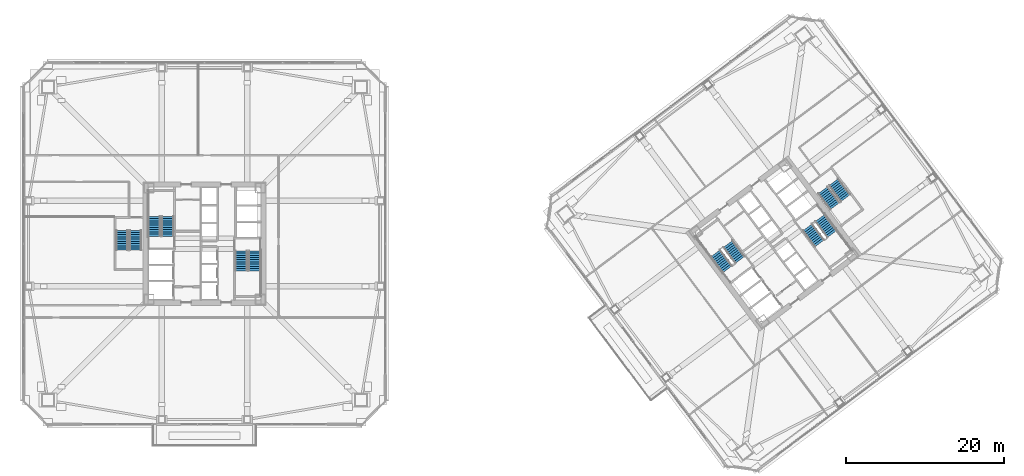
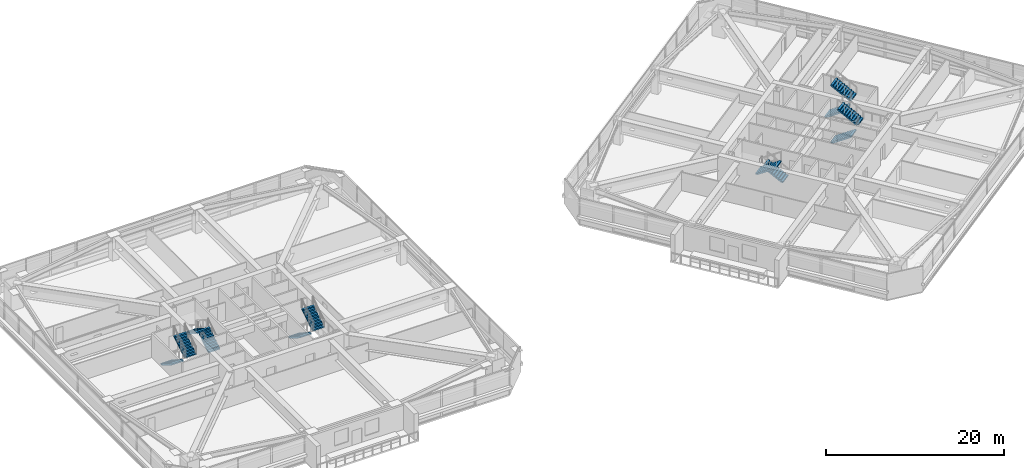
# One storey, part 42 of 48: 12 stair flights, 6 elements without a shape of their own.
"""IFC4 building model written with IfcOpenShell, lengths in metres."""

from ifc_helpers import new_model, si_unit, direction, frame, origin, place, context, subcontext, project, spatial, polyline, outline, extrude, material, type_object, element, aggregate, save


model = new_model("IFC4")

# Units and contexts
model_context = context("Model", 3, precision=1e-05, world=origin(), true_north=direction((0.0, 1.0)))
body_context = subcontext(model_context, "Body", "Model", "MODEL_VIEW")
ifc_project = project(units=[si_unit("LENGTHUNIT", "METRE"), si_unit("AREAUNIT", "SQUARE_METRE"), si_unit("VOLUMEUNIT", "CUBIC_METRE"), si_unit("PLANEANGLEUNIT", "RADIAN"), si_unit("MASSUNIT", "GRAM", prefix="KILO")], contexts=[model_context])

# Site, building, storey
site_placement = place(None, origin())
site = spatial("IfcSite", under=ifc_project, at=site_placement, CompositionType="ELEMENT")
building_placement = place(site_placement, origin())
building = spatial("IfcBuilding", under=site, at=building_placement, Name="Tashvorn Skyway Center", CompositionType="ELEMENT")
storey_placement = place(building_placement, frame((0.0, 0.0, 63.64990234375)))
storey = spatial("IfcBuildingStorey", under=building, at=storey_placement, Name="L16", CompositionType="ELEMENT", Elevation=63.64990234375)

# Stair, stair flights
ifc_material = material(Name="Concrete C40/50", Category="concrete")
stair_type = type_object("IfcStairType", Name="STAIR-CORE-1500", PredefinedType="HALF_TURN_STAIR", material=ifc_material)
stair_1_placement = place(storey_placement, origin())
stair_1 = element("IfcStair", 1, at=stair_1_placement, inside=storey, type_object=stair_type, Name="L16 Tower 1 Exit Stair 1", PredefinedType="HALF_TURN_STAIR")
stair_flight_type = type_object("IfcStairFlightType", Name="SFLIGHT-1500", PredefinedType="STRAIGHT", material=ifc_material)
stair_flight_1_placement = place(storey_placement, frame((37.35009765625, 32.919921875, 0.0), z_axis=(0.0, 0.0, 1.0), x_axis=(0.0, 1.0, 0.0)))
stair_flight_1 = element("IfcStairFlight", 2, at=stair_flight_1_placement, type_object=stair_flight_type, Name="ST-T1-1 flight 1", NumberOfRisers=10, NumberOfTreads=9, PredefinedType="STRAIGHT", RiserHeight=0.1775, TreadLength=0.28, context=body_context, shape_type="SweptSolid", body=[
    extrude(outline(polyline([(0.0, 0.0), (0.0, 0.177490234375), (0.280029296875, 0.177490234375), (0.280029296875, 0.35498046875), (0.56005859375, 0.35498046875), (0.56005859375, 0.532470703125), (0.840087890625, 0.532470703125), (0.840087890625, 0.7099609375), (1.1201171875, 0.7099609375), (1.1201171875, 0.887451171875), (1.39990234375, 0.887451171875), (1.39990234375, 1.06494140625), (1.679931640625, 1.06494140625), (1.679931640625, 1.242431640625), (1.9599609375, 1.242431640625), (1.9599609375, 1.419921875), (2.239990234375, 1.419921875), (2.239990234375, 1.597412109375), (2.52001953125, 1.597412109375), (2.52001953125, 1.77490234375), (2.52001953125, 1.419921875), (0.280029296875, 0.0), (0.0, 0.0)])), frame((0.0, 0.75, 0.0), z_axis=(0.0, -1.0, 0.0), x_axis=(1.0, 0.0, 0.0)), (0.0, 0.0, 1.0), 1.5),
])
stair_flight_2_placement = place(storey_placement, frame((35.64990234375, 35.43994140625, 1.775146484375), z_axis=(0.0, 0.0, 1.0), x_axis=(0.0, -1.0, 0.0)))
stair_flight_2 = element("IfcStairFlight", 3, at=stair_flight_2_placement, type_object=stair_flight_type, Name="ST-T1-1 flight 2", NumberOfRisers=10, NumberOfTreads=9, PredefinedType="STRAIGHT", RiserHeight=0.1775, TreadLength=0.28, context=body_context, shape_type="SweptSolid", body=[
    extrude(outline(polyline([(0.0, 0.0), (0.0, 0.177490234375), (0.280029296875, 0.177490234375), (0.280029296875, 0.35498046875), (0.56005859375, 0.35498046875), (0.56005859375, 0.532470703125), (0.840087890625, 0.532470703125), (0.840087890625, 0.7099609375), (1.1201171875, 0.7099609375), (1.1201171875, 0.887451171875), (1.39990234375, 0.887451171875), (1.39990234375, 1.06494140625), (1.679931640625, 1.06494140625), (1.679931640625, 1.242431640625), (1.9599609375, 1.242431640625), (1.9599609375, 1.419921875), (2.239990234375, 1.419921875), (2.239990234375, 1.597412109375), (2.52001953125, 1.597412109375), (2.52001953125, 1.77490234375), (2.52001953125, 1.419921875), (0.280029296875, 0.0), (0.0, 0.0)])), frame((0.0, 0.75, 0.0), z_axis=(0.0, -1.0, 0.0), x_axis=(1.0, 0.0, 0.0)), (0.0, 0.0, 1.0), 1.5),
])
aggregate(stair_1, [stair_flight_1, stair_flight_2])

stair_2_placement = place(storey_placement, origin())
stair_2 = element("IfcStair", 4, at=stair_2_placement, inside=storey, type_object=stair_type, Name="L16 Tower 1 Exit Stair 2", PredefinedType="HALF_TURN_STAIR")
stair_flight_3_placement = place(storey_placement, frame((46.64990234375, 31.080078125, 0.0), z_axis=(0.0, 0.0, 1.0), x_axis=(0.0, -1.0, 0.0)))
stair_flight_3 = element("IfcStairFlight", 5, at=stair_flight_3_placement, type_object=stair_flight_type, Name="ST-T1-2 flight 1", NumberOfRisers=10, NumberOfTreads=9, PredefinedType="STRAIGHT", RiserHeight=0.1775, TreadLength=0.28, context=body_context, shape_type="SweptSolid", body=[
    extrude(outline(polyline([(0.0, 0.0), (0.0, 0.177490234375), (0.280029296875, 0.177490234375), (0.280029296875, 0.35498046875), (0.56005859375, 0.35498046875), (0.56005859375, 0.532470703125), (0.840087890625, 0.532470703125), (0.840087890625, 0.7099609375), (1.1201171875, 0.7099609375), (1.1201171875, 0.887451171875), (1.39990234375, 0.887451171875), (1.39990234375, 1.06494140625), (1.679931640625, 1.06494140625), (1.679931640625, 1.242431640625), (1.9599609375, 1.242431640625), (1.9599609375, 1.419921875), (2.239990234375, 1.419921875), (2.239990234375, 1.597412109375), (2.52001953125, 1.597412109375), (2.52001953125, 1.77490234375), (2.52001953125, 1.419921875), (0.280029296875, 0.0), (0.0, 0.0)])), frame((0.0, 0.75, 0.0), z_axis=(0.0, -1.0, 0.0), x_axis=(1.0, 0.0, 0.0)), (0.0, 0.0, 1.0), 1.5),
])
stair_flight_4_placement = place(storey_placement, frame((48.35009765625, 28.56005859375, 1.775146484375), z_axis=(0.0, 0.0, 1.0), x_axis=(0.0, 1.0, 0.0)))
stair_flight_4 = element("IfcStairFlight", 6, at=stair_flight_4_placement, type_object=stair_flight_type, Name="ST-T1-2 flight 2", NumberOfRisers=10, NumberOfTreads=9, PredefinedType="STRAIGHT", RiserHeight=0.1775, TreadLength=0.28, context=body_context, shape_type="SweptSolid", body=[
    extrude(outline(polyline([(0.0, 0.0), (0.0, 0.177490234375), (0.280029296875, 0.177490234375), (0.280029296875, 0.35498046875), (0.56005859375, 0.35498046875), (0.56005859375, 0.532470703125), (0.840087890625, 0.532470703125), (0.840087890625, 0.7099609375), (1.1201171875, 0.7099609375), (1.1201171875, 0.887451171875), (1.39990234375, 0.887451171875), (1.39990234375, 1.06494140625), (1.679931640625, 1.06494140625), (1.679931640625, 1.242431640625), (1.9599609375, 1.242431640625), (1.9599609375, 1.419921875), (2.239990234375, 1.419921875), (2.239990234375, 1.597412109375), (2.52001953125, 1.597412109375), (2.52001953125, 1.77490234375), (2.52001953125, 1.419921875), (0.280029296875, 0.0), (0.0, 0.0)])), frame((0.0, 0.75, 0.0), z_axis=(0.0, -1.0, 0.0), x_axis=(1.0, 0.0, 0.0)), (0.0, 0.0, 1.0), 1.5),
])
aggregate(stair_2, [stair_flight_3, stair_flight_4])

stair_3_placement = place(storey_placement, origin())
stair_3 = element("IfcStair", 7, at=stair_3_placement, inside=storey, type_object=stair_type, Name="L16 Tower 2 Exit Stair 1", PredefinedType="HALF_TURN_STAIR")
stair_flight_5_placement = place(storey_placement, frame((109.72802734375, 29.946044921875, 0.0), z_axis=(0.0, 0.0, 1.0), x_axis=(-0.600000004945, 0.799999996291, 0.0)))
stair_flight_5 = element("IfcStairFlight", 8, at=stair_flight_5_placement, type_object=stair_flight_type, Name="ST-T2-1 flight 1", NumberOfRisers=10, NumberOfTreads=9, PredefinedType="STRAIGHT", RiserHeight=0.1775, TreadLength=0.28, context=body_context, shape_type="SweptSolid", body=[
    extrude(outline(polyline([(0.0, 0.0), (0.0, 0.177490234375), (0.280029296875, 0.177490234375), (0.280029296875, 0.35498046875), (0.56005859375, 0.35498046875), (0.56005859375, 0.532470703125), (0.840087890625, 0.532470703125), (0.840087890625, 0.7099609375), (1.1201171875, 0.7099609375), (1.1201171875, 0.887451171875), (1.39990234375, 0.887451171875), (1.39990234375, 1.06494140625), (1.679931640625, 1.06494140625), (1.679931640625, 1.242431640625), (1.9599609375, 1.242431640625), (1.9599609375, 1.419921875), (2.239990234375, 1.419921875), (2.239990234375, 1.597412109375), (2.52001953125, 1.597412109375), (2.52001953125, 1.77490234375), (2.52001953125, 1.419921875), (0.280029296875, 0.0), (0.0, 0.0)])), frame((0.0, 0.75, 0.0), z_axis=(0.0, -1.0, 0.0), x_axis=(1.0, 0.0, 0.0)), (0.0, 0.0, 1.0), 1.5),
])
stair_flight_6_placement = place(storey_placement, frame((106.632080078125, 30.77392578125, 1.775146484375), z_axis=(0.0, 0.0, 1.0), x_axis=(0.600000004945, -0.799999996291, 0.0)))
stair_flight_6 = element("IfcStairFlight", 9, at=stair_flight_6_placement, type_object=stair_flight_type, Name="ST-T2-1 flight 2", NumberOfRisers=10, NumberOfTreads=9, PredefinedType="STRAIGHT", RiserHeight=0.1775, TreadLength=0.28, context=body_context, shape_type="SweptSolid", body=[
    extrude(outline(polyline([(0.0, 0.0), (0.0, 0.177490234375), (0.280029296875, 0.177490234375), (0.280029296875, 0.35498046875), (0.56005859375, 0.35498046875), (0.56005859375, 0.532470703125), (0.840087890625, 0.532470703125), (0.840087890625, 0.7099609375), (1.1201171875, 0.7099609375), (1.1201171875, 0.887451171875), (1.39990234375, 0.887451171875), (1.39990234375, 1.06494140625), (1.679931640625, 1.06494140625), (1.679931640625, 1.242431640625), (1.9599609375, 1.242431640625), (1.9599609375, 1.419921875), (2.239990234375, 1.419921875), (2.239990234375, 1.597412109375), (2.52001953125, 1.597412109375), (2.52001953125, 1.77490234375), (2.52001953125, 1.419921875), (0.280029296875, 0.0), (0.0, 0.0)])), frame((0.0, 0.75, 0.0), z_axis=(0.0, -1.0, 0.0), x_axis=(1.0, 0.0, 0.0)), (0.0, 0.0, 1.0), 1.5),
])
aggregate(stair_3, [stair_flight_5, stair_flight_6])

stair_4_placement = place(storey_placement, origin())
stair_4 = element("IfcStair", 10, at=stair_4_placement, inside=storey, type_object=stair_type, Name="L16 Tower 2 Exit Stair 2", PredefinedType="HALF_TURN_STAIR")
stair_flight_7_placement = place(storey_placement, frame((118.27197265625, 34.053955078125, 0.0), z_axis=(0.0, 0.0, 1.0), x_axis=(0.600000004945, -0.799999996291, 0.0)))
stair_flight_7 = element("IfcStairFlight", 11, at=stair_flight_7_placement, type_object=stair_flight_type, Name="ST-T2-2 flight 1", NumberOfRisers=10, NumberOfTreads=9, PredefinedType="STRAIGHT", RiserHeight=0.1775, TreadLength=0.28, context=body_context, shape_type="SweptSolid", body=[
    extrude(outline(polyline([(0.0, 0.0), (0.0, 0.177490234375), (0.280029296875, 0.177490234375), (0.280029296875, 0.35498046875), (0.56005859375, 0.35498046875), (0.56005859375, 0.532470703125), (0.840087890625, 0.532470703125), (0.840087890625, 0.7099609375), (1.1201171875, 0.7099609375), (1.1201171875, 0.887451171875), (1.39990234375, 0.887451171875), (1.39990234375, 1.06494140625), (1.679931640625, 1.06494140625), (1.679931640625, 1.242431640625), (1.9599609375, 1.242431640625), (1.9599609375, 1.419921875), (2.239990234375, 1.419921875), (2.239990234375, 1.597412109375), (2.52001953125, 1.597412109375), (2.52001953125, 1.77490234375), (2.52001953125, 1.419921875), (0.280029296875, 0.0), (0.0, 0.0)])), frame((0.0, 0.75, 0.0), z_axis=(0.0, -1.0, 0.0), x_axis=(1.0, 0.0, 0.0)), (0.0, 0.0, 1.0), 1.5),
])
stair_flight_8_placement = place(storey_placement, frame((121.367919921875, 33.22607421875, 1.775146484375), z_axis=(0.0, 0.0, 1.0), x_axis=(-0.600000004945, 0.799999996291, 0.0)))
stair_flight_8 = element("IfcStairFlight", 12, at=stair_flight_8_placement, type_object=stair_flight_type, Name="ST-T2-2 flight 2", NumberOfRisers=10, NumberOfTreads=9, PredefinedType="STRAIGHT", RiserHeight=0.1775, TreadLength=0.28, context=body_context, shape_type="SweptSolid", body=[
    extrude(outline(polyline([(0.0, 0.0), (0.0, 0.177490234375), (0.280029296875, 0.177490234375), (0.280029296875, 0.35498046875), (0.56005859375, 0.35498046875), (0.56005859375, 0.532470703125), (0.840087890625, 0.532470703125), (0.840087890625, 0.7099609375), (1.1201171875, 0.7099609375), (1.1201171875, 0.887451171875), (1.39990234375, 0.887451171875), (1.39990234375, 1.06494140625), (1.679931640625, 1.06494140625), (1.679931640625, 1.242431640625), (1.9599609375, 1.242431640625), (1.9599609375, 1.419921875), (2.239990234375, 1.419921875), (2.239990234375, 1.597412109375), (2.52001953125, 1.597412109375), (2.52001953125, 1.77490234375), (2.52001953125, 1.419921875), (0.280029296875, 0.0), (0.0, 0.0)])), frame((0.0, 0.75, 0.0), z_axis=(0.0, -1.0, 0.0), x_axis=(1.0, 0.0, 0.0)), (0.0, 0.0, 1.0), 1.5),
])
aggregate(stair_4, [stair_flight_7, stair_flight_8])

stair_5_placement = place(storey_placement, origin())
stair_5 = element("IfcStair", 13, at=stair_5_placement, inside=storey, type_object=stair_type, Name="L16 Tower 1 Exit Stair 3", PredefinedType="HALF_TURN_STAIR")
stair_flight_9_placement = place(storey_placement, frame((31.550048828125, 33.679931640625, 0.0), z_axis=(0.0, 0.0, 1.0), x_axis=(0.0, -1.0, 0.0)))
stair_flight_9 = element("IfcStairFlight", 14, at=stair_flight_9_placement, type_object=stair_flight_type, Name="ST-T1-3 flight 1", NumberOfRisers=10, NumberOfTreads=9, PredefinedType="STRAIGHT", RiserHeight=0.1775, TreadLength=0.28, context=body_context, shape_type="SweptSolid", body=[
    extrude(outline(polyline([(0.0, 0.0), (0.0, 0.177490234375), (0.280029296875, 0.177490234375), (0.280029296875, 0.35498046875), (0.56005859375, 0.35498046875), (0.56005859375, 0.532470703125), (0.840087890625, 0.532470703125), (0.840087890625, 0.7099609375), (1.1201171875, 0.7099609375), (1.1201171875, 0.887451171875), (1.39990234375, 0.887451171875), (1.39990234375, 1.06494140625), (1.679931640625, 1.06494140625), (1.679931640625, 1.242431640625), (1.9599609375, 1.242431640625), (1.9599609375, 1.419921875), (2.239990234375, 1.419921875), (2.239990234375, 1.597412109375), (2.52001953125, 1.597412109375), (2.52001953125, 1.77490234375), (2.52001953125, 1.419921875), (0.280029296875, 0.0), (0.0, 0.0)])), frame((0.0, 0.75, 0.0), z_axis=(0.0, -1.0, 0.0), x_axis=(1.0, 0.0, 0.0)), (0.0, 0.0, 1.0), 1.5),
])
stair_flight_10_placement = place(storey_placement, frame((33.25, 31.159912109375, 1.775146484375), z_axis=(0.0, 0.0, 1.0), x_axis=(0.0, 1.0, 0.0)))
stair_flight_10 = element("IfcStairFlight", 15, at=stair_flight_10_placement, type_object=stair_flight_type, Name="ST-T1-3 flight 2", NumberOfRisers=10, NumberOfTreads=9, PredefinedType="STRAIGHT", RiserHeight=0.1775, TreadLength=0.28, context=body_context, shape_type="SweptSolid", body=[
    extrude(outline(polyline([(0.0, 0.0), (0.0, 0.177490234375), (0.280029296875, 0.177490234375), (0.280029296875, 0.35498046875), (0.56005859375, 0.35498046875), (0.56005859375, 0.532470703125), (0.840087890625, 0.532470703125), (0.840087890625, 0.7099609375), (1.1201171875, 0.7099609375), (1.1201171875, 0.887451171875), (1.39990234375, 0.887451171875), (1.39990234375, 1.06494140625), (1.679931640625, 1.06494140625), (1.679931640625, 1.242431640625), (1.9599609375, 1.242431640625), (1.9599609375, 1.419921875), (2.239990234375, 1.419921875), (2.239990234375, 1.597412109375), (2.52001953125, 1.597412109375), (2.52001953125, 1.77490234375), (2.52001953125, 1.419921875), (0.280029296875, 0.0), (0.0, 0.0)])), frame((0.0, 0.75, 0.0), z_axis=(0.0, -1.0, 0.0), x_axis=(1.0, 0.0, 0.0)), (0.0, 0.0, 1.0), 1.5),
])
aggregate(stair_5, [stair_flight_9, stair_flight_10])

stair_6_placement = place(storey_placement, origin())
stair_6 = element("IfcStair", 16, at=stair_6_placement, inside=storey, type_object=stair_type, Name="L16 Tower 2 Exit Stair 3", PredefinedType="HALF_TURN_STAIR")
stair_flight_11_placement = place(storey_placement, frame((120.216064453125, 38.761962890625, 0.0), z_axis=(0.0, 0.0, 1.0), x_axis=(0.600000004945, -0.799999996291, 0.0)))
stair_flight_11 = element("IfcStairFlight", 17, at=stair_flight_11_placement, type_object=stair_flight_type, Name="ST-T2-3 flight 1", NumberOfRisers=10, NumberOfTreads=9, PredefinedType="STRAIGHT", RiserHeight=0.1775, TreadLength=0.28, context=body_context, shape_type="SweptSolid", body=[
    extrude(outline(polyline([(0.0, 0.0), (0.0, 0.177490234375), (0.280029296875, 0.177490234375), (0.280029296875, 0.35498046875), (0.56005859375, 0.35498046875), (0.56005859375, 0.532470703125), (0.840087890625, 0.532470703125), (0.840087890625, 0.7099609375), (1.1201171875, 0.7099609375), (1.1201171875, 0.887451171875), (1.39990234375, 0.887451171875), (1.39990234375, 1.06494140625), (1.679931640625, 1.06494140625), (1.679931640625, 1.242431640625), (1.9599609375, 1.242431640625), (1.9599609375, 1.419921875), (2.239990234375, 1.419921875), (2.239990234375, 1.597412109375), (2.52001953125, 1.597412109375), (2.52001953125, 1.77490234375), (2.52001953125, 1.419921875), (0.280029296875, 0.0), (0.0, 0.0)])), frame((0.0, 0.75, 0.0), z_axis=(0.0, -1.0, 0.0), x_axis=(1.0, 0.0, 0.0)), (0.0, 0.0, 1.0), 1.5),
])
stair_flight_12_placement = place(storey_placement, frame((123.087890625, 37.76611328125, 1.775146484375), z_axis=(0.0, 0.0, 1.0), x_axis=(-0.600000004945, 0.799999996291, 0.0)))
stair_flight_12 = element("IfcStairFlight", 18, at=stair_flight_12_placement, type_object=stair_flight_type, Name="ST-T2-3 flight 2", NumberOfRisers=10, NumberOfTreads=9, PredefinedType="STRAIGHT", RiserHeight=0.1775, TreadLength=0.28, context=body_context, shape_type="SweptSolid", body=[
    extrude(outline(polyline([(0.0, 0.0), (0.0, 0.177490234375), (0.280029296875, 0.177490234375), (0.280029296875, 0.35498046875), (0.56005859375, 0.35498046875), (0.56005859375, 0.532470703125), (0.840087890625, 0.532470703125), (0.840087890625, 0.7099609375), (1.1201171875, 0.7099609375), (1.1201171875, 0.887451171875), (1.39990234375, 0.887451171875), (1.39990234375, 1.06494140625), (1.679931640625, 1.06494140625), (1.679931640625, 1.242431640625), (1.9599609375, 1.242431640625), (1.9599609375, 1.419921875), (2.239990234375, 1.419921875), (2.239990234375, 1.597412109375), (2.52001953125, 1.597412109375), (2.52001953125, 1.77490234375), (2.52001953125, 1.419921875), (0.280029296875, 0.0), (0.0, 0.0)])), frame((0.0, 0.75, 0.0), z_axis=(0.0, -1.0, 0.0), x_axis=(1.0, 0.0, 0.0)), (0.0, 0.0, 1.0), 1.5),
])
aggregate(stair_6, [stair_flight_11, stair_flight_12])

save(model, "model.ifc")
